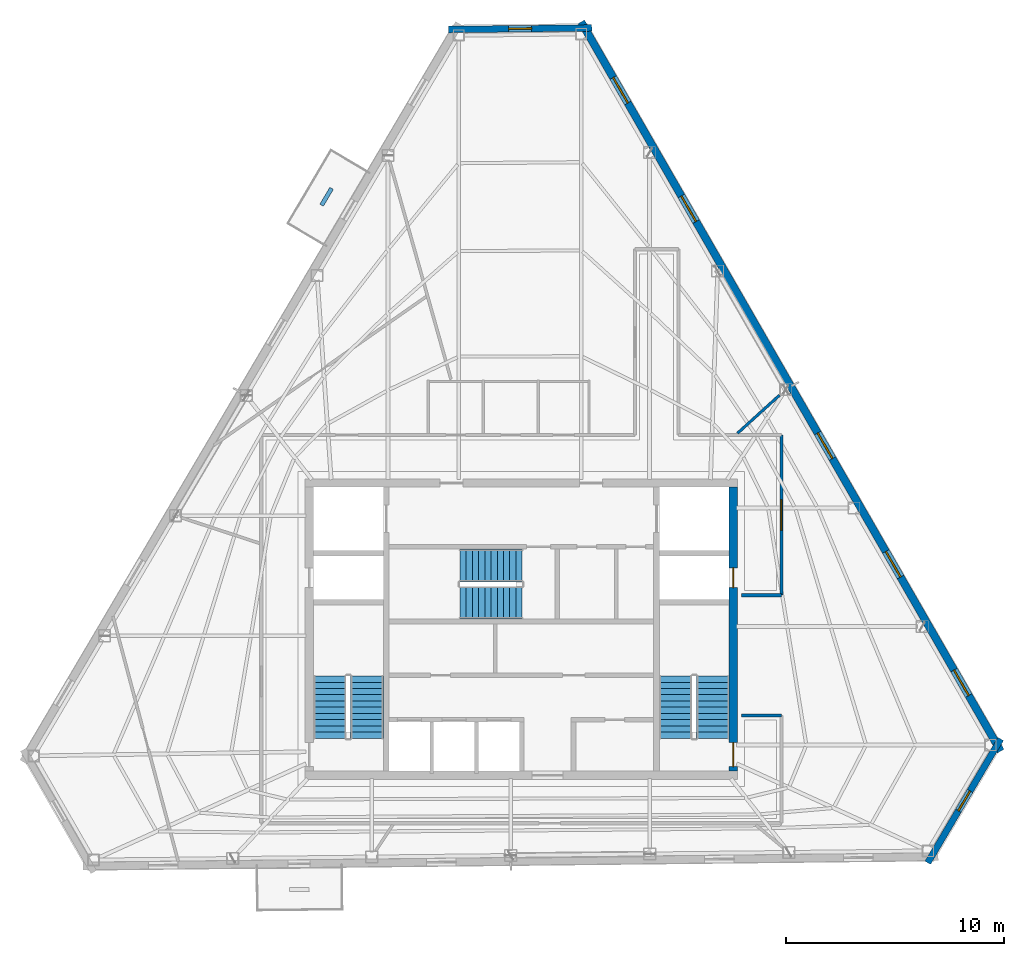
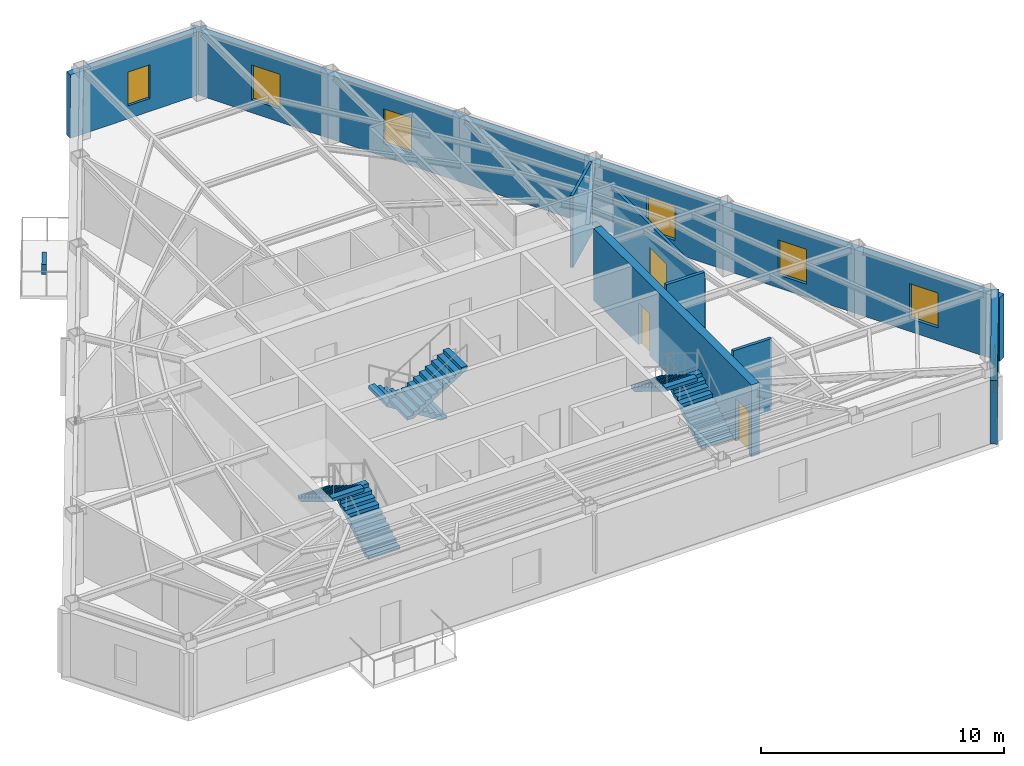
# One storey, part 9 of 11: 9 walls, 7 windows, 6 stair flights, 3 doors, 10 openings, 3 elements without a shape of their own.
"""IFC4 building model written with IfcOpenShell, lengths in metres."""

from ifc_helpers import new_model, si_unit, direction, frame, frame_2d, origin, place, context, subcontext, project, spatial, polyline, rectangle, outline, extrude, material, layer, layer_set, type_object, element, fill, aggregate, save


model = new_model("IFC4")

# Units and contexts
model_context = context("Model", 3, precision=1e-05, world=origin(), true_north=direction((0.0, 1.0)))
body_context = subcontext(model_context, "Body", "Model", "MODEL_VIEW")
ifc_project = project(units=[si_unit("LENGTHUNIT", "METRE"), si_unit("AREAUNIT", "SQUARE_METRE"), si_unit("VOLUMEUNIT", "CUBIC_METRE"), si_unit("PLANEANGLEUNIT", "RADIAN"), si_unit("MASSUNIT", "GRAM", prefix="KILO")], contexts=[model_context])

# Site, building, storey
site_placement = place(None, origin())
site = spatial("IfcSite", under=ifc_project, at=site_placement, CompositionType="ELEMENT")
building_placement = place(site_placement, origin())
building = spatial("IfcBuilding", under=site, at=building_placement, Name="Kavelnor Concourse Tower", CompositionType="ELEMENT")
storey_placement = place(building_placement, frame((0.0, 0.0, 285.699951171875)))
storey = spatial("IfcBuildingStorey", under=building, at=storey_placement, Name="L72", CompositionType="ELEMENT", Elevation=285.699951171875)

# Wall, openings, doors
ifc_material_1 = material(Name="Concrete C50/60", Category="concrete")
ifc_layer_1 = layer(ifc_material_1, 0.3798828125, Name="Concrete C50/60")
ifc_layer_set_1 = layer_set([ifc_layer_1], Name="Concrete C50/60")
wall_type_1 = type_object("IfcWallType", Name="WL-CORE-Z4-380", PredefinedType="SOLIDWALL", material=ifc_layer_set_1)
wall_1_placement = place(storey_placement, frame((47.7099609375, 9.60009765625, 0.0), z_axis=(0.0, 0.0, 1.0), x_axis=(0.0, 1.0, 0.0)))
wall_1 = element("IfcWall", 1, at=wall_1_placement, inside=storey, type_object=wall_type_1, Name="L72 Central Core East Shear Wall", PredefinedType="SOLIDWALL", context=body_context, shape_type="SweptSolid", body=[
    extrude(rectangle(XDim=13.0, YDim=0.3798828125, at=frame_2d((6.5, 0.0))), origin(), (0.0, 0.0, 1.0), 3.610107421875),
])
opening_1_placement = place(wall_1_placement, frame((0.199951171875, 0.0, 0.0)))
opening_1 = element("IfcOpeningElement", 2, at=opening_1_placement, cuts=wall_1, Name="Opening FD-110", PredefinedType="OPENING", context=body_context, shape_type="SweptSolid", body=[
    extrude(rectangle(XDim=1.10009765625, YDim=2.14990234375, at=frame_2d((0.550048828125, 1.074951171875))), frame((0.0, 0.199951171875, 0.0), z_axis=(0.0, -1.0, 0.0), x_axis=(1.0, 0.0, 0.0)), (0.0, 0.0, 1.0), 0.39990234375),
])
opening_2_placement = place(wall_1_placement, frame((8.39990234375, 0.0, 0.0)))
opening_2 = element("IfcOpeningElement", 3, at=opening_2_placement, cuts=wall_1, Name="Opening FD-090", PredefinedType="OPENING", context=body_context, shape_type="SweptSolid", body=[
    extrude(rectangle(XDim=0.89990234375, YDim=2.10009765625, at=frame_2d((0.449951171875, 1.050048828125))), frame((0.0, 0.199951171875, 0.0), z_axis=(0.0, -1.0, 0.0), x_axis=(1.0, 0.0, 0.0)), (0.0, 0.0, 1.0), 0.39990234375),
])
ifc_material_2 = material(Name="Steel Grade 350", Category="steel")
door_type_1 = type_object("IfcDoorType", Name="DR-RISER-FIRE-900", OperationType="NOTDEFINED", PredefinedType="DOOR", material=ifc_material_2)
door_1_placement = place(opening_2_placement, origin())
door_1 = element("IfcDoor", 4, at=door_1_placement, inside=storey, type_object=door_type_1, Name="L72 East Riser Access Door", OperationType="SINGLE_SWING_LEFT", OverallHeight=2.10009765625, OverallWidth=0.89990234375, PredefinedType="DOOR", context=body_context, shape_type="SweptSolid", body=[
    extrude(rectangle(XDim=0.89990234375, YDim=2.10009765625, at=frame_2d((0.449951171875, 1.050048828125))), frame((0.0, 0.02490234375, 0.0), z_axis=(0.0, -1.0, 0.0), x_axis=(1.0, 0.0, 0.0)), (0.0, 0.0, 1.0), 0.050048828125),
])
fill(opening_2, door_1)
door_type_2 = type_object("IfcDoorType", Name="DR-STAIR-FIRE-1100", OperationType="NOTDEFINED", PredefinedType="DOOR", material=ifc_material_2)
door_2_placement = place(opening_1_placement, origin())
door_2 = element("IfcDoor", 5, at=door_2_placement, inside=storey, type_object=door_type_2, Name="L72 Stair ST2 Fire Door", OperationType="SINGLE_SWING_RIGHT", OverallHeight=2.14990234375, OverallWidth=1.10009765625, PredefinedType="DOOR", context=body_context, shape_type="SweptSolid", body=[
    extrude(rectangle(XDim=1.10009765625, YDim=2.14990234375, at=frame_2d((0.550048828125, 1.074951171875))), frame((0.0, 0.02490234375, 0.0), z_axis=(0.0, -1.0, 0.0), x_axis=(1.0, 0.0, 0.0)), (0.0, 0.0, 1.0), 0.050048828125),
])
fill(opening_1, door_2)

# Wall, opening, window
ifc_material_3 = material(Name="Buff ironspot clay face brick masonry", Category="masonry")
ifc_layer_2 = layer(ifc_material_3, 0.300048828125, Name="Buff ironspot clay face brick masonry")
ifc_layer_set_2 = layer_set([ifc_layer_2], Name="Buff ironspot clay face brick masonry")
wall_type_2 = type_object("IfcWallType", Name="WL-EXT-BUFF-BRICK-FOLD-300", PredefinedType="STANDARD", material=ifc_layer_set_2)
wall_2_placement = place(storey_placement, frame((34.662109375, 43.556396484375, 0.0), z_axis=(0.0, 0.0, 1.0), x_axis=(0.999940213155, 0.010934812076, 0.0)))
wall_2 = element("IfcWall", 6, at=wall_2_placement, inside=storey, type_object=wall_type_2, Name="L72 Exterior Brick Facade Wall E0", PredefinedType="STANDARD", context=body_context, shape_type="SweptSolid", body=[
    extrude(rectangle(XDim=6.564208984375, YDim=0.300048828125, at=frame_2d((3.2822265625, 0.0))), origin(), (0.0, 0.0, 1.0), 3.196044921875),
])
opening_3_placement = place(wall_2_placement, frame((2.757080078125, 0.0, 0.64990234375)))
opening_3 = element("IfcOpeningElement", 7, at=opening_3_placement, cuts=wall_2, Name="Opening W-06", PredefinedType="OPENING", context=body_context, shape_type="SweptSolid", body=[
    extrude(rectangle(XDim=1.050048828125, YDim=1.699951171875, at=frame_2d((0.52490234375, 0.85009765625))), frame((0.0, 0.16015625, 0.0), z_axis=(0.0, -1.0, 0.0), x_axis=(1.0, 0.0, 0.0)), (0.0, 0.0, 1.0), 0.320068359375),
])
ifc_material_4 = material(Name="Double low-E argon insulated glazing", Category="glass")
window_type_1 = type_object("IfcWindowType", Name="WIN-FOLD-1050", PartitioningType="SINGLE_PANEL", PredefinedType="WINDOW", material=ifc_material_4)
window_1_placement = place(opening_3_placement, origin())
window_1 = element("IfcWindow", 8, at=window_1_placement, inside=storey, type_object=window_type_1, Name="L72 Chamfer-Fold Facet Window C0", OverallHeight=1.699951171875, OverallWidth=1.050048828125, PartitioningType="SINGLE_PANEL", PredefinedType="WINDOW", context=body_context, shape_type="SweptSolid", body=[
    extrude(rectangle(XDim=1.050048828125, YDim=1.699951171875, at=frame_2d((0.52490234375, 0.85009765625))), frame((0.0, 0.030029296875, 0.0), z_axis=(0.0, -1.0, 0.0), x_axis=(1.0, 0.0, 0.0)), (0.0, 0.0, 1.0), 0.06005859375),
])
fill(opening_3, window_1)

wall_3_placement = place(storey_placement, frame((59.95458984375, 11.06787109375, 0.0), z_axis=(0.0, 0.0, 1.0), x_axis=(-0.508054188109, -0.861325108159, 0.0)))
wall_3 = element("IfcWall", 9, at=wall_3_placement, inside=storey, type_object=wall_type_2, Name="L72 Exterior Brick Facade Wall E4", PredefinedType="STANDARD", context=body_context, shape_type="SweptSolid", body=[
    extrude(rectangle(XDim=6.58056640625, YDim=0.300048828125, at=frame_2d((3.290283203125, 0.0))), origin(), (0.0, 0.0, 1.0), 3.196044921875),
])
opening_4_placement = place(wall_3_placement, frame((2.76513671875, 0.0, 0.64990234375)))
opening_4 = element("IfcOpeningElement", 10, at=opening_4_placement, cuts=wall_3, Name="Opening W-06", PredefinedType="OPENING", context=body_context, shape_type="SweptSolid", body=[
    extrude(rectangle(XDim=1.050048828125, YDim=1.699951171875, at=frame_2d((0.52490234375, 0.85009765625))), frame((0.0, 0.16015625, 0.0), z_axis=(0.0, -1.0, 0.0), x_axis=(1.0, 0.0, 0.0)), (0.0, 0.0, 1.0), 0.320068359375),
])
window_2_placement = place(opening_4_placement, origin())
window_2 = element("IfcWindow", 11, at=window_2_placement, inside=storey, type_object=window_type_1, Name="L72 Chamfer-Fold Facet Window C2", OverallHeight=1.699951171875, OverallWidth=1.050048828125, PartitioningType="SINGLE_PANEL", PredefinedType="WINDOW", context=body_context, shape_type="SweptSolid", body=[
    extrude(rectangle(XDim=1.050048828125, YDim=1.699951171875, at=frame_2d((0.52490234375, 0.85009765625))), frame((0.0, 0.030029296875, 0.0), z_axis=(0.0, -1.0, 0.0), x_axis=(1.0, 0.0, 0.0)), (0.0, 0.0, 1.0), 0.06005859375),
])
fill(opening_4, window_2)

# Wall, openings, windows
ifc_material_5 = material(Name="Red-ochre clay face brick masonry", Category="masonry")
ifc_layer_3 = layer(ifc_material_5, 0.35009765625, Name="Red-ochre clay face brick masonry")
ifc_layer_set_3 = layer_set([ifc_layer_3], Name="Red-ochre clay face brick masonry")
wall_type_3 = type_object("IfcWallType", Name="WL-EXT-RED-BRICK-PIER-350", PredefinedType="STANDARD", material=ifc_layer_set_3)
wall_4_placement = place(storey_placement, frame((40.74169921875, 43.904541015625, 0.0), z_axis=(0.0, 0.0, 1.0), x_axis=(0.49863744838, -0.866810645454, 0.0)))
wall_4 = element("IfcWall", 12, at=wall_4_placement, inside=storey, type_object=wall_type_3, Name="L72 Exterior Brick Facade Wall E5", PredefinedType="STANDARD", context=body_context, shape_type="SweptSolid", body=[
    extrude(rectangle(XDim=38.52490234375, YDim=0.35009765625, at=frame_2d((19.262451171875, 0.0))), origin(), (0.0, 0.0, 1.0), 3.196044921875),
])
opening_5_placement = place(wall_4_placement, frame((34.239990234375, 0.0, 0.64990234375)))
opening_5 = element("IfcOpeningElement", 13, at=opening_5_placement, cuts=wall_4, Name="Opening W-04", PredefinedType="OPENING", context=body_context, shape_type="SweptSolid", body=[
    extrude(rectangle(XDim=1.35009765625, YDim=1.75, at=frame_2d((0.675048828125, 0.875))), frame((0.0, 0.18505859375, 0.0), z_axis=(0.0, -1.0, 0.0), x_axis=(1.0, 0.0, 0.0)), (0.0, 0.0, 1.0), 0.3701171875),
])
opening_6_placement = place(wall_4_placement, frame((27.979248046875, 0.0, 0.64990234375)))
opening_6 = element("IfcOpeningElement", 14, at=opening_6_placement, cuts=wall_4, Name="Opening W-04", PredefinedType="OPENING", context=body_context, shape_type="SweptSolid", body=[
    extrude(rectangle(XDim=1.35009765625, YDim=1.75, at=frame_2d((0.675048828125, 0.875))), frame((0.0, 0.18505859375, 0.0), z_axis=(0.0, -1.0, 0.0), x_axis=(1.0, 0.0, 0.0)), (0.0, 0.0, 1.0), 0.3701171875),
])
opening_7_placement = place(wall_4_placement, frame((21.718505859375, 0.0, 0.64990234375)))
opening_7 = element("IfcOpeningElement", 15, at=opening_7_placement, cuts=wall_4, Name="Opening W-04", PredefinedType="OPENING", context=body_context, shape_type="SweptSolid", body=[
    extrude(rectangle(XDim=1.35009765625, YDim=1.75, at=frame_2d((0.675048828125, 0.875))), frame((0.0, 0.18505859375, 0.0), z_axis=(0.0, -1.0, 0.0), x_axis=(1.0, 0.0, 0.0)), (0.0, 0.0, 1.0), 0.3701171875),
])
opening_8_placement = place(wall_4_placement, frame((9.197021484375, 0.0, 0.64990234375)))
opening_8 = element("IfcOpeningElement", 16, at=opening_8_placement, cuts=wall_4, Name="Opening W-04", PredefinedType="OPENING", context=body_context, shape_type="SweptSolid", body=[
    extrude(rectangle(XDim=1.35009765625, YDim=1.75, at=frame_2d((0.675048828125, 0.875))), frame((0.0, 0.18505859375, 0.0), z_axis=(0.0, -1.0, 0.0), x_axis=(1.0, 0.0, 0.0)), (0.0, 0.0, 1.0), 0.3701171875),
])
opening_9_placement = place(wall_4_placement, frame((2.936279296875, 0.0, 0.64990234375)))
opening_9 = element("IfcOpeningElement", 17, at=opening_9_placement, cuts=wall_4, Name="Opening W-04", PredefinedType="OPENING", context=body_context, shape_type="SweptSolid", body=[
    extrude(rectangle(XDim=1.35009765625, YDim=1.75, at=frame_2d((0.675048828125, 0.875))), frame((0.0, 0.18505859375, 0.0), z_axis=(0.0, -1.0, 0.0), x_axis=(1.0, 0.0, 0.0)), (0.0, 0.0, 1.0), 0.3701171875),
])
window_type_2 = type_object("IfcWindowType", Name="WIN-PIER-Z4-1350", PartitioningType="SINGLE_PANEL", PredefinedType="WINDOW", material=ifc_material_4)
window_3_placement = place(opening_5_placement, origin())
window_3 = element("IfcWindow", 18, at=window_3_placement, inside=storey, type_object=window_type_2, Name="L72 Deep-Set Brick Pier Window F2-B0", OverallHeight=1.75, OverallWidth=1.35009765625, PartitioningType="SINGLE_PANEL", PredefinedType="WINDOW", context=body_context, shape_type="SweptSolid", body=[
    extrude(rectangle(XDim=1.35009765625, YDim=1.75, at=frame_2d((0.675048828125, 0.875))), frame((0.0, 0.030029296875, 0.0), z_axis=(0.0, -1.0, 0.0), x_axis=(1.0, 0.0, 0.0)), (0.0, 0.0, 1.0), 0.06005859375),
])
fill(opening_5, window_3)
window_4_placement = place(opening_6_placement, origin())
window_4 = element("IfcWindow", 19, at=window_4_placement, inside=storey, type_object=window_type_2, Name="L72 Deep-Set Brick Pier Window F2-B1", OverallHeight=1.75, OverallWidth=1.35009765625, PartitioningType="SINGLE_PANEL", PredefinedType="WINDOW", context=body_context, shape_type="SweptSolid", body=[
    extrude(rectangle(XDim=1.35009765625, YDim=1.75, at=frame_2d((0.675048828125, 0.875))), frame((0.0, 0.030029296875, 0.0), z_axis=(0.0, -1.0, 0.0), x_axis=(1.0, 0.0, 0.0)), (0.0, 0.0, 1.0), 0.06005859375),
])
fill(opening_6, window_4)
window_5_placement = place(opening_7_placement, origin())
window_5 = element("IfcWindow", 20, at=window_5_placement, inside=storey, type_object=window_type_2, Name="L72 Deep-Set Brick Pier Window F2-B2", OverallHeight=1.75, OverallWidth=1.35009765625, PartitioningType="SINGLE_PANEL", PredefinedType="WINDOW", context=body_context, shape_type="SweptSolid", body=[
    extrude(rectangle(XDim=1.35009765625, YDim=1.75, at=frame_2d((0.675048828125, 0.875))), frame((0.0, 0.030029296875, 0.0), z_axis=(0.0, -1.0, 0.0), x_axis=(1.0, 0.0, 0.0)), (0.0, 0.0, 1.0), 0.06005859375),
])
fill(opening_7, window_5)
window_6_placement = place(opening_8_placement, origin())
window_6 = element("IfcWindow", 21, at=window_6_placement, inside=storey, type_object=window_type_2, Name="L72 Deep-Set Brick Pier Window F2-B4", OverallHeight=1.75, OverallWidth=1.35009765625, PartitioningType="SINGLE_PANEL", PredefinedType="WINDOW", context=body_context, shape_type="SweptSolid", body=[
    extrude(rectangle(XDim=1.35009765625, YDim=1.75, at=frame_2d((0.675048828125, 0.875))), frame((0.0, 0.030029296875, 0.0), z_axis=(0.0, -1.0, 0.0), x_axis=(1.0, 0.0, 0.0)), (0.0, 0.0, 1.0), 0.06005859375),
])
fill(opening_8, window_6)
window_7_placement = place(opening_9_placement, origin())
window_7 = element("IfcWindow", 22, at=window_7_placement, inside=storey, type_object=window_type_2, Name="L72 Deep-Set Brick Pier Window F2-B5", OverallHeight=1.75, OverallWidth=1.35009765625, PartitioningType="SINGLE_PANEL", PredefinedType="WINDOW", context=body_context, shape_type="SweptSolid", body=[
    extrude(rectangle(XDim=1.35009765625, YDim=1.75, at=frame_2d((0.675048828125, 0.875))), frame((0.0, 0.030029296875, 0.0), z_axis=(0.0, -1.0, 0.0), x_axis=(1.0, 0.0, 0.0)), (0.0, 0.0, 1.0), 0.06005859375),
])
fill(opening_9, window_7)

# Wall, opening, door
ifc_material_6 = material(Name="Gypsum plasterboard on light-gauge steel studs", Category="steel")
ifc_layer_4 = layer(ifc_material_6, 0.14501953125, Name="Gypsum plasterboard on light-gauge steel studs")
ifc_layer_set_4 = layer_set([ifc_layer_4], Name="Gypsum plasterboard on light-gauge steel studs")
wall_type_4 = type_object("IfcWallType", Name="WL-INT-CORR-145", PredefinedType="PARTITIONING", material=ifc_layer_set_4)
wall_5_placement = place(storey_placement, frame((49.909912109375, 24.989990234375, 0.0), z_axis=(0.0, 0.0, 1.0), x_axis=(0.0, -1.0, 0.0)))
wall_5 = element("IfcWall", 23, at=wall_5_placement, inside=storey, type_object=wall_type_4, Name="L72 Corridor Wall WL-L72-CR-05", PredefinedType="PARTITIONING", context=body_context, shape_type="SweptSolid", body=[
    extrude(rectangle(XDim=7.340087890625, YDim=0.14501953125, at=frame_2d((3.669921875, 0.0))), origin(), (0.0, 0.0, 1.0), 3.34912109375),
])
opening_10_placement = place(wall_5_placement, frame((2.969970703125, 0.0, 0.0)))
opening_10 = element("IfcOpeningElement", 24, at=opening_10_placement, cuts=wall_5, Name="Opening SD-140", PredefinedType="OPENING", context=body_context, shape_type="SweptSolid", body=[
    extrude(rectangle(XDim=1.39990234375, YDim=2.199951171875, at=frame_2d((0.699951171875, 1.10009765625))), frame((0.0, 0.08251953125, 0.0), z_axis=(0.0, -1.0, 0.0), x_axis=(1.0, 0.0, 0.0)), (0.0, 0.0, 1.0), 0.1650390625),
])
ifc_material_7 = material(Name="Solid-core hardwood timber", Category="wood")
door_type_3 = type_object("IfcDoorType", Name="DR-SUITE-ENTRY-1400", OperationType="NOTDEFINED", PredefinedType="DOOR", material=ifc_material_7)
door_3_placement = place(opening_10_placement, origin())
door_3 = element("IfcDoor", 25, at=door_3_placement, inside=storey, type_object=door_type_3, Name="L72 Executive Dining Room 07 Door", OperationType="SINGLE_SWING_RIGHT", OverallHeight=2.199951171875, OverallWidth=1.39990234375, PredefinedType="DOOR", context=body_context, shape_type="SweptSolid", body=[
    extrude(rectangle(XDim=1.39990234375, YDim=2.199951171875, at=frame_2d((0.699951171875, 1.10009765625))), frame((0.0, 0.02490234375, 0.0), z_axis=(0.0, -1.0, 0.0), x_axis=(1.0, 0.0, 0.0)), (0.0, 0.0, 1.0), 0.050048828125),
])
fill(opening_10, door_3)

# Walls
for number, where, z_axis, x_axis, name in (
    (26, (49.909912109375, 17.64990234375, 0.0), (0.0, 0.0, 1.0), (-1.0, 0.0, 0.0), "L72 Corridor Wall WL-L72-CR-06"),
    (27, (48.090087890625, 12.14990234375, 0.0), (0.0, 0.0, 1.0), (1.0, 0.0, 0.0), "L72 Corridor Wall WL-L72-CR-07"),
):
    element("IfcWall", number, at=place(storey_placement, frame(where, z_axis=z_axis, x_axis=x_axis)), inside=storey, type_object=wall_type_4, Name=name, PredefinedType="PARTITIONING", context=body_context, shape_type="SweptSolid", body=[
        extrude(rectangle(XDim=1.81982421875, YDim=0.14501953125, at=frame_2d((0.909912109375, 0.0))), origin(), (0.0, 0.0, 1.0), 3.610107421875),
    ])
ifc_layer_5 = layer(ifc_material_6, 0.125, Name="Gypsum plasterboard on light-gauge steel studs")
ifc_layer_set_5 = layer_set([ifc_layer_5], Name="Gypsum plasterboard on light-gauge steel studs")
wall_type_5 = type_object("IfcWallType", Name="WL-INT-SUITE-125", PredefinedType="PARTITIONING", material=ifc_layer_set_5)
wall_6_placement = place(storey_placement, frame((47.903076171875, 25.070556640625, 0.0), z_axis=(0.0, 0.0, 1.0), x_axis=(0.741169905223, 0.671317489413, 0.0)))
element("IfcWall", 28, at=wall_6_placement, inside=storey, type_object=wall_type_5, Name="L72 Radial Suite Partition 01", PredefinedType="PARTITIONING", context=body_context, shape_type="SweptSolid", body=[
    extrude(rectangle(XDim=2.59326171875, YDim=0.125, at=frame_2d((1.296630859375, 0.0))), origin(), (0.0, 0.0, 1.0), 3.610107421875),
])
ifc_material_8 = material(Name="Architectural precast planter concrete C40/50", Category="concrete")
ifc_layer_6 = layer(ifc_material_8, 0.18994140625, Name="Architectural precast planter concrete C40/50")
ifc_layer_set_6 = layer_set([ifc_layer_6], Name="Architectural precast planter concrete C40/50")
wall_type_6 = type_object("IfcWallType", Name="WL-PLANTER-KERB-190", PredefinedType="USERDEFINED", material=ifc_layer_set_6)
wall_7_placement = place(storey_placement, frame((29.3125, 36.28369140625, 0.0), z_axis=(0.0, 0.0, 1.0), x_axis=(-0.508098554151, -0.861298937228, 0.0)))
element("IfcWall", 29, at=wall_7_placement, inside=storey, type_object=wall_type_6, Name="L72 Tree Balcony 1 Tree Planter Kerb", ObjectType="PLANTER", PredefinedType="USERDEFINED", context=body_context, shape_type="SweptSolid", body=[
    extrude(rectangle(XDim=0.89990234375, YDim=0.18994140625, at=frame_2d((0.449951171875, 0.0))), origin(), (0.0, 0.0, 1.0), 0.5),
])

# Stair, stair flights
ifc_material_9 = material(Name="Concrete C40/50", Category="concrete")
stair_type = type_object("IfcStairType", Name="STR-CORE-1500", PredefinedType="HALF_TURN_STAIR", material=ifc_material_9)
stair_1_placement = place(storey_placement, origin())
stair_1 = element("IfcStair", 30, at=stair_1_placement, inside=storey, type_object=stair_type, Name="L72 ST1", PredefinedType="HALF_TURN_STAIR")
stair_flight_type = type_object("IfcStairFlightType", Name="STR-FLIGHT-1500", PredefinedType="STRAIGHT", material=ifc_material_9)
stair_flight_1_placement = place(storey_placement, frame((30.929931640625, 11.10009765625, 0.0), z_axis=(0.0, 0.0, 1.0), x_axis=(0.0, 1.0, 0.0)))
stair_flight_1 = element("IfcStairFlight", 31, at=stair_flight_1_placement, type_object=stair_flight_type, Name="ST1 flight 1", NumberOfRisers=11, NumberOfTreads=10, PredefinedType="STRAIGHT", RiserHeight=0.175, TreadLength=0.285, context=body_context, shape_type="SweptSolid", body=[
    extrude(outline(polyline([(0.0, 0.0), (0.0, 0.175048828125), (0.284912109375, 0.175048828125), (0.284912109375, 0.35009765625), (0.570068359375, 0.35009765625), (0.570068359375, 0.52490234375), (0.85498046875, 0.52490234375), (0.85498046875, 0.699951171875), (1.139892578125, 0.699951171875), (1.139892578125, 0.875), (1.425048828125, 0.875), (1.425048828125, 1.050048828125), (1.7099609375, 1.050048828125), (1.7099609375, 1.22509765625), (1.9951171875, 1.22509765625), (1.9951171875, 1.39990234375), (2.280029296875, 1.39990234375), (2.280029296875, 1.574951171875), (2.56494140625, 1.574951171875), (2.56494140625, 1.75), (2.85009765625, 1.75), (2.85009765625, 1.925048828125), (2.85009765625, 1.573974609375), (0.286376953125, 0.0), (0.0, 0.0)])), frame((0.0, 0.75, 0.0), z_axis=(0.0, -1.0, 0.0), x_axis=(1.0, 0.0, 0.0)), (0.0, 0.0, 1.0), 1.5),
])
stair_flight_2_placement = place(storey_placement, frame((29.22998046875, 13.949951171875, 1.925048828125), z_axis=(0.0, 0.0, 1.0), x_axis=(0.0, -1.0, 0.0)))
stair_flight_2 = element("IfcStairFlight", 32, at=stair_flight_2_placement, type_object=stair_flight_type, Name="ST1 flight 2", NumberOfRisers=11, NumberOfTreads=10, PredefinedType="STRAIGHT", RiserHeight=0.175, TreadLength=0.285, context=body_context, shape_type="SweptSolid", body=[
    extrude(outline(polyline([(0.0, 0.0), (0.0, 0.175048828125), (0.284912109375, 0.175048828125), (0.284912109375, 0.35009765625), (0.570068359375, 0.35009765625), (0.570068359375, 0.52490234375), (0.85498046875, 0.52490234375), (0.85498046875, 0.699951171875), (1.139892578125, 0.699951171875), (1.139892578125, 0.875), (1.425048828125, 0.875), (1.425048828125, 1.050048828125), (1.7099609375, 1.050048828125), (1.7099609375, 1.22509765625), (1.9951171875, 1.22509765625), (1.9951171875, 1.39990234375), (2.280029296875, 1.39990234375), (2.280029296875, 1.574951171875), (2.56494140625, 1.574951171875), (2.56494140625, 1.75), (2.85009765625, 1.75), (2.85009765625, 1.925048828125), (2.85009765625, 1.573974609375), (0.286376953125, 0.0), (0.0, 0.0)])), frame((0.0, 0.75, 0.0), z_axis=(0.0, -1.0, 0.0), x_axis=(1.0, 0.0, 0.0)), (0.0, 0.0, 1.0), 1.5),
])
aggregate(stair_1, [stair_flight_1, stair_flight_2])

stair_2_placement = place(storey_placement, origin())
stair_2 = element("IfcStair", 33, at=stair_2_placement, inside=storey, type_object=stair_type, Name="L72 ST2", PredefinedType="HALF_TURN_STAIR")
stair_flight_3_placement = place(storey_placement, frame((46.77001953125, 11.10009765625, 0.0), z_axis=(0.0, 0.0, 1.0), x_axis=(0.0, 1.0, 0.0)))
stair_flight_3 = element("IfcStairFlight", 34, at=stair_flight_3_placement, type_object=stair_flight_type, Name="ST2 flight 1", NumberOfRisers=11, NumberOfTreads=10, PredefinedType="STRAIGHT", RiserHeight=0.175, TreadLength=0.285, context=body_context, shape_type="SweptSolid", body=[
    extrude(outline(polyline([(0.0, 0.0), (0.0, 0.175048828125), (0.284912109375, 0.175048828125), (0.284912109375, 0.35009765625), (0.570068359375, 0.35009765625), (0.570068359375, 0.52490234375), (0.85498046875, 0.52490234375), (0.85498046875, 0.699951171875), (1.139892578125, 0.699951171875), (1.139892578125, 0.875), (1.425048828125, 0.875), (1.425048828125, 1.050048828125), (1.7099609375, 1.050048828125), (1.7099609375, 1.22509765625), (1.9951171875, 1.22509765625), (1.9951171875, 1.39990234375), (2.280029296875, 1.39990234375), (2.280029296875, 1.574951171875), (2.56494140625, 1.574951171875), (2.56494140625, 1.75), (2.85009765625, 1.75), (2.85009765625, 1.925048828125), (2.85009765625, 1.573974609375), (0.286376953125, 0.0), (0.0, 0.0)])), frame((0.0, 0.75, 0.0), z_axis=(0.0, -1.0, 0.0), x_axis=(1.0, 0.0, 0.0)), (0.0, 0.0, 1.0), 1.5),
])
stair_flight_4_placement = place(storey_placement, frame((45.070068359375, 13.949951171875, 1.925048828125), z_axis=(0.0, 0.0, 1.0), x_axis=(0.0, -1.0, 0.0)))
stair_flight_4 = element("IfcStairFlight", 35, at=stair_flight_4_placement, type_object=stair_flight_type, Name="ST2 flight 2", NumberOfRisers=11, NumberOfTreads=10, PredefinedType="STRAIGHT", RiserHeight=0.175, TreadLength=0.285, context=body_context, shape_type="SweptSolid", body=[
    extrude(outline(polyline([(0.0, 0.0), (0.0, 0.175048828125), (0.284912109375, 0.175048828125), (0.284912109375, 0.35009765625), (0.570068359375, 0.35009765625), (0.570068359375, 0.52490234375), (0.85498046875, 0.52490234375), (0.85498046875, 0.699951171875), (1.139892578125, 0.699951171875), (1.139892578125, 0.875), (1.425048828125, 0.875), (1.425048828125, 1.050048828125), (1.7099609375, 1.050048828125), (1.7099609375, 1.22509765625), (1.9951171875, 1.22509765625), (1.9951171875, 1.39990234375), (2.280029296875, 1.39990234375), (2.280029296875, 1.574951171875), (2.56494140625, 1.574951171875), (2.56494140625, 1.75), (2.85009765625, 1.75), (2.85009765625, 1.925048828125), (2.85009765625, 1.573974609375), (0.286376953125, 0.0), (0.0, 0.0)])), frame((0.0, 0.75, 0.0), z_axis=(0.0, -1.0, 0.0), x_axis=(1.0, 0.0, 0.0)), (0.0, 0.0, 1.0), 1.5),
])
aggregate(stair_2, [stair_flight_3, stair_flight_4])

stair_3_placement = place(storey_placement, origin())
stair_3 = element("IfcStair", 36, at=stair_3_placement, inside=storey, type_object=stair_type, Name="L72 ST3", PredefinedType="HALF_TURN_STAIR")
stair_flight_5_placement = place(storey_placement, frame((38.0400390625, 19.010009765625, 0.0), z_axis=(0.0, 0.0, 1.0), x_axis=(-1.0, 0.0, 0.0)))
stair_flight_5 = element("IfcStairFlight", 37, at=stair_flight_5_placement, type_object=stair_flight_type, Name="ST3 flight 1", NumberOfRisers=11, NumberOfTreads=10, PredefinedType="STRAIGHT", RiserHeight=0.175, TreadLength=0.285, context=body_context, shape_type="SweptSolid", body=[
    extrude(outline(polyline([(0.0, 0.0), (0.0, 0.175048828125), (0.284912109375, 0.175048828125), (0.284912109375, 0.35009765625), (0.570068359375, 0.35009765625), (0.570068359375, 0.52490234375), (0.85498046875, 0.52490234375), (0.85498046875, 0.699951171875), (1.139892578125, 0.699951171875), (1.139892578125, 0.875), (1.425048828125, 0.875), (1.425048828125, 1.050048828125), (1.7099609375, 1.050048828125), (1.7099609375, 1.22509765625), (1.9951171875, 1.22509765625), (1.9951171875, 1.39990234375), (2.280029296875, 1.39990234375), (2.280029296875, 1.574951171875), (2.56494140625, 1.574951171875), (2.56494140625, 1.75), (2.85009765625, 1.75), (2.85009765625, 1.925048828125), (2.85009765625, 1.573974609375), (0.286376953125, 0.0), (0.0, 0.0)])), frame((0.0, 0.75, 0.0), z_axis=(0.0, -1.0, 0.0), x_axis=(1.0, 0.0, 0.0)), (0.0, 0.0, 1.0), 1.5),
])
stair_flight_6_placement = place(storey_placement, frame((35.18994140625, 17.31005859375, 1.925048828125), z_axis=(0.0, 0.0, 1.0), x_axis=(1.0, 0.0, 0.0)))
stair_flight_6 = element("IfcStairFlight", 38, at=stair_flight_6_placement, type_object=stair_flight_type, Name="ST3 flight 2", NumberOfRisers=11, NumberOfTreads=10, PredefinedType="STRAIGHT", RiserHeight=0.175, TreadLength=0.285, context=body_context, shape_type="SweptSolid", body=[
    extrude(outline(polyline([(0.0, 0.0), (0.0, 0.175048828125), (0.284912109375, 0.175048828125), (0.284912109375, 0.35009765625), (0.570068359375, 0.35009765625), (0.570068359375, 0.52490234375), (0.85498046875, 0.52490234375), (0.85498046875, 0.699951171875), (1.139892578125, 0.699951171875), (1.139892578125, 0.875), (1.425048828125, 0.875), (1.425048828125, 1.050048828125), (1.7099609375, 1.050048828125), (1.7099609375, 1.22509765625), (1.9951171875, 1.22509765625), (1.9951171875, 1.39990234375), (2.280029296875, 1.39990234375), (2.280029296875, 1.574951171875), (2.56494140625, 1.574951171875), (2.56494140625, 1.75), (2.85009765625, 1.75), (2.85009765625, 1.925048828125), (2.85009765625, 1.573974609375), (0.286376953125, 0.0), (0.0, 0.0)])), frame((0.0, 0.75, 0.0), z_axis=(0.0, -1.0, 0.0), x_axis=(1.0, 0.0, 0.0)), (0.0, 0.0, 1.0), 1.5),
])
aggregate(stair_3, [stair_flight_5, stair_flight_6])

save(model, "model.ifc")
